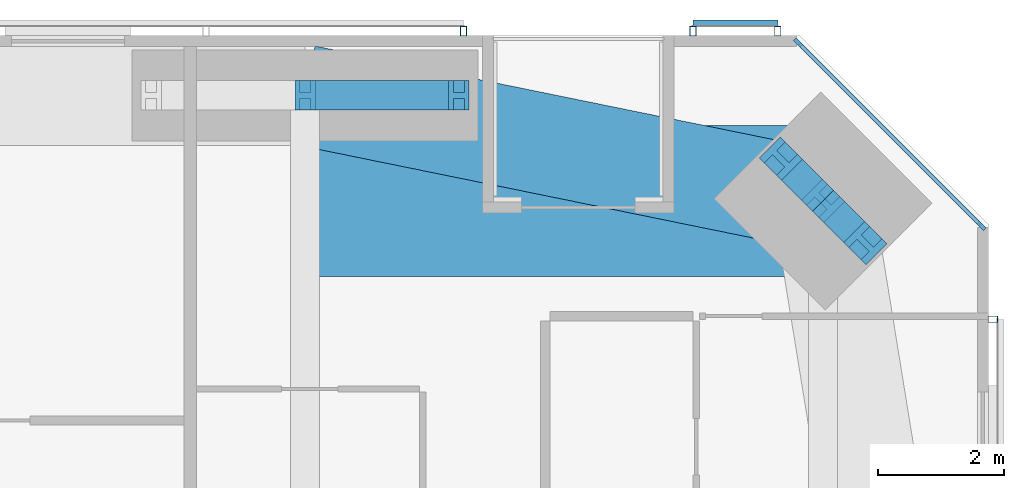
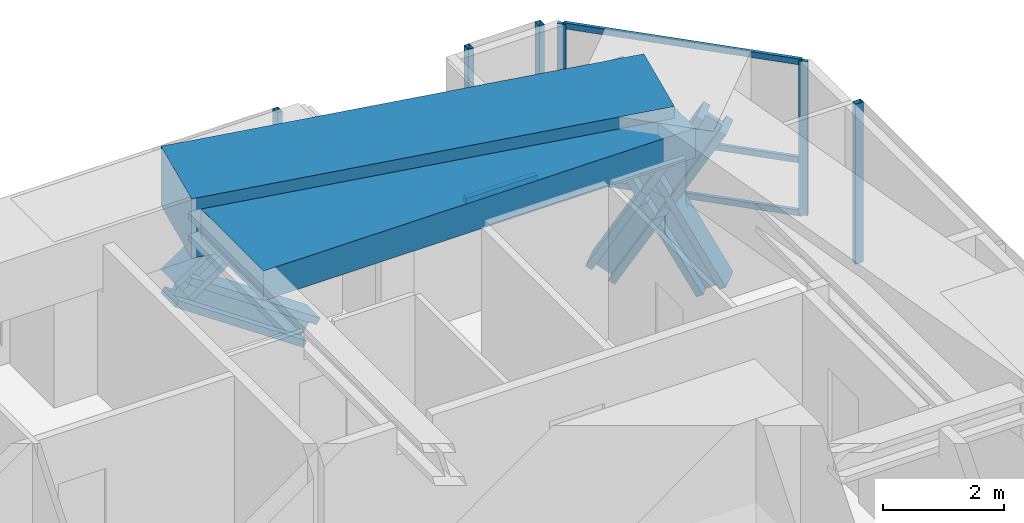
# One storey, part 14 of 23: 16 members, 2 beams, 4 elements without a shape of their own.
"""IFC4 building model written with IfcOpenShell, lengths in metres."""

import ifcopenshell
import ifcopenshell.guid

model = None  # the IFC model being written
_history = None  # IfcOwnerHistory: only IFC2X3 demands one
_inside = {}  # id of a spatial element -> (the spatial element, [elements in it])
_under = {}  # id of a project, library or spatial element -> (it, [spatial elements below it])
_declared = {}  # id of a project -> (the project, [libraries it declares])
_typed = {}  # id of a type object -> (the type object, [elements of that type])
_made_of = {}  # id of a material, layer set ... -> (it, [elements and type objects made of it])


def new_model(schema):
    """Start an empty IFC model of exactly this schema.

    Asked for "IFC4X3", IfcOpenShell would pick the latest addendum, in which some entities
    have other attributes; the version numbers below select the first issue.
    IFC2X3 requires an IfcOwnerHistory on every rooted entity: one is made here for all.
    """
    global model, _history
    if schema == "IFC4X3":
        model = ifcopenshell.file(schema_version=(4, 3, 0, 0))
    else:
        model = ifcopenshell.file(schema=schema)
    _inside.clear()
    _under.clear()
    _declared.clear()
    _typed.clear()
    _made_of.clear()
    _history = None
    if model.schema == "IFC2X3":
        org = make("IfcOrganization", Name="unknown")
        user = make(
            "IfcPersonAndOrganization",
            ThePerson=make("IfcPerson", FamilyName="unknown"),
            TheOrganization=org,
        )
        app = make(
            "IfcApplication",
            ApplicationDeveloper=org,
            Version="unknown",
            ApplicationFullName="unknown",
            ApplicationIdentifier="unknown",
        )
        _history = make(
            "IfcOwnerHistory",
            OwningUser=user,
            OwningApplication=app,
            ChangeAction="ADDED",
            CreationDate=0,
        )
    return model


def make(cls, **values):
    """One entity of the class cls with the attributes given. An attribute that is None is left unset."""
    return model.create_entity(
        cls, **{name: value for name, value in values.items() if value is not None}
    )


def rooted(cls, **values):
    """An entity with a GlobalId (a new one), such as an element, a storey or a relation."""
    return make(cls, GlobalId=ifcopenshell.guid.new(), OwnerHistory=_history, **values)


def si_unit(unit_type, name, prefix=None):
    """IfcSIUnit, for example si_unit("LENGTHUNIT", "METRE", prefix="MILLI")."""
    return make("IfcSIUnit", UnitType=unit_type, Prefix=prefix, Name=name)


def assignment(units):
    """IfcUnitAssignment: the units of a project."""
    return None if units is None else make("IfcUnitAssignment", Units=units)


def point(xyz):
    """IfcCartesianPoint."""
    return None if xyz is None else make("IfcCartesianPoint", Coordinates=xyz)


def direction(xyz):
    """IfcDirection."""
    return None if xyz is None else make("IfcDirection", DirectionRatios=xyz)


def frame(location, z_axis=None, x_axis=None):
    """IfcAxis2Placement3D, a coordinate frame: its origin and axes. An axis left out is left unset."""
    return make(
        "IfcAxis2Placement3D",
        Location=point(location),
        Axis=direction(z_axis),
        RefDirection=direction(x_axis),
    )


def frame_2d(location, x_axis=None):
    """IfcAxis2Placement2D, a coordinate frame in the plane: its origin and x axis."""
    return make(
        "IfcAxis2Placement2D", Location=point(location), RefDirection=direction(x_axis)
    )


def origin():
    """The frame at (0, 0, 0) with its axes left unset."""
    return frame((0.0, 0.0, 0.0))


def origin_2d():
    """The frame at (0, 0) in the plane with its x axis left unset."""
    return frame_2d((0.0, 0.0))


def place(relative_to, where):
    """IfcLocalPlacement: puts the frame where relative to a parent placement (None: the world)."""
    return make(
        "IfcLocalPlacement", PlacementRelTo=relative_to, RelativePlacement=where
    )


def context(
    kind, dimensions, precision=None, world=None, true_north=None, identifier=None
):
    """IfcGeometricRepresentationContext, for example the 3D "Model" context."""
    return make(
        "IfcGeometricRepresentationContext",
        ContextIdentifier=identifier,
        ContextType=kind,
        CoordinateSpaceDimension=dimensions,
        Precision=precision,
        WorldCoordinateSystem=world,
        TrueNorth=true_north,
    )


def subcontext(parent, identifier, kind, view, scale=None):
    """IfcGeometricRepresentationSubContext, for example "Body" below "Model"."""
    return make(
        "IfcGeometricRepresentationSubContext",
        ContextIdentifier=identifier,
        ContextType=kind,
        ParentContext=parent,
        TargetScale=scale,
        TargetView=view,
    )


def project(units=None, contexts=None):
    """IfcProject with its units and contexts."""
    return rooted(
        "IfcProject",
        Name="project",
        RepresentationContexts=contexts,
        UnitsInContext=assignment(units),
    )


def spatial(cls, under=None, at=None, **own):
    """A site, building, storey or space (cls), placed at a placement, below another one or the project."""
    s = rooted(cls, ObjectPlacement=at, **own)
    if under is not None:
        _under.setdefault(under.id(), (under, []))[1].append(s)
    return s


def profile(cls, at=None, kind="AREA", **sizes):
    """A parametric profile (cls). Its sizes go by their IFC names, for example OverallWidth=200.0."""
    return make(cls, ProfileType=kind, Position=at, **sizes)


def rectangle(**sizes):
    """IfcRectangleProfileDef."""
    return profile("IfcRectangleProfileDef", **sizes)


def hollow_rectangle(**sizes):
    """IfcRectangleHollowProfileDef."""
    return profile("IfcRectangleHollowProfileDef", **sizes)


def i_section(**sizes):
    """IfcIShapeProfileDef."""
    return profile("IfcIShapeProfileDef", **sizes)


def extrude(swept, where, along, depth):
    """IfcExtrudedAreaSolid: the profile swept, set in the frame where, extruded along a direction by depth."""
    return make(
        "IfcExtrudedAreaSolid",
        SweptArea=swept,
        Position=where,
        ExtrudedDirection=direction(along),
        Depth=depth,
    )


def shape(context_of_items, identifier, shape_type, items):
    """IfcShapeRepresentation: the items that make up one representation, for example the "Body"."""
    return make(
        "IfcShapeRepresentation",
        ContextOfItems=context_of_items,
        RepresentationIdentifier=identifier,
        RepresentationType=shape_type,
        Items=items,
    )


def material(Name=None, Category=None):
    """IfcMaterial."""
    return make("IfcMaterial", Name=Name, Category=Category)


def material_profile(
    of_material, cross_section, Name=None, Category=None, Priority=None
):
    """IfcMaterialProfile: a cross section and its material."""
    return make(
        "IfcMaterialProfile",
        Name=Name,
        Material=of_material,
        Profile=cross_section,
        Priority=Priority,
        Category=Category,
    )


def profile_set(profiles, Name=None, composite=None):
    """IfcMaterialProfileSet."""
    return make(
        "IfcMaterialProfileSet",
        Name=Name,
        MaterialProfiles=profiles,
        CompositeProfile=composite,
    )


def made_of(thing, what):
    """Note that an element or type object is made of a material, layer set ...; save() writes the relation."""
    if what is not None:
        _made_of.setdefault(what.id(), (what, []))[1].append(thing)
    return thing


def type_object(cls, material=None, **own):
    """A type object (cls), such as IfcWallType, which elements share."""
    return made_of(rooted(cls, **own), material)


def element(
    cls,
    number,
    at=None,
    inside=None,
    cuts=None,
    type_object=None,
    material=None,
    context=None,
    identifier="Body",
    shape_type=None,
    held_by="IfcProductDefinitionShape",
    body=None,
    shapes=None,
    **own,
):
    """One element of the class cls, such as IfcWall. Its Tag is "e" and its number.

    at: its placement. inside: the storey or other place that contains it. cuts: it is an
    opening in that element (IfcRelVoidsElement). A single representation is given by context,
    identifier, shape_type and body (its items); several are given by shapes. held_by: the class
    of the entity that holds the representations. save() writes the other relations.
    """
    e = rooted(cls, Tag="e%d" % number, ObjectPlacement=at, **own)
    if body is not None:
        shapes = [shape(context, identifier, shape_type, body)]
    if shapes is not None:
        e.Representation = make(held_by, Representations=shapes)
    if inside is not None:
        _inside.setdefault(inside.id(), (inside, []))[1].append(e)
    if cuts is not None:
        rooted(
            "IfcRelVoidsElement", RelatingBuildingElement=cuts, RelatedOpeningElement=e
        )
    if type_object is not None:
        _typed.setdefault(type_object.id(), (type_object, []))[1].append(e)
    return made_of(e, material)


def aggregate(whole, parts):
    """IfcRelAggregates: a whole, such as a stair, and the parts it consists of."""
    return rooted("IfcRelAggregates", RelatingObject=whole, RelatedObjects=parts)


def save(model, path):
    """Write the relations noted so far, then the file.

    IfcRelAggregates (storeys below a building ...), IfcRelContainedInSpatialStructure (elements
    in a storey), IfcRelDefinesByType, IfcRelAssociatesMaterial and IfcRelDeclares: one each for
    every whole, place, type object, material and project.
    """
    for whole, parts in _under.values():
        aggregate(whole, parts)
    for where, things in _inside.values():
        rooted(
            "IfcRelContainedInSpatialStructure",
            RelatedElements=things,
            RelatingStructure=where,
        )
    for kind, things in _typed.values():
        rooted("IfcRelDefinesByType", RelatedObjects=things, RelatingType=kind)
    for what, things in _made_of.values():
        rooted("IfcRelAssociatesMaterial", RelatedObjects=things, RelatingMaterial=what)
    for by, libraries in _declared.values():
        rooted("IfcRelDeclares", RelatingContext=by, RelatedDefinitions=libraries)
    model.write(path)


model = new_model("IFC4")

# Units and contexts
model_context = context("Model", 3, precision=1e-05, world=origin(), true_north=direction((0.0, 1.0)))
body_context = subcontext(model_context, "Body", "Model", "MODEL_VIEW")
ifc_project = project(units=[si_unit("LENGTHUNIT", "METRE"), si_unit("AREAUNIT", "SQUARE_METRE"), si_unit("VOLUMEUNIT", "CUBIC_METRE"), si_unit("PLANEANGLEUNIT", "RADIAN"), si_unit("MASSUNIT", "GRAM", prefix="KILO")], contexts=[model_context])

# Site, building, storey
site_placement = place(None, origin())
site = spatial("IfcSite", under=ifc_project, at=site_placement, CompositionType="ELEMENT")
building_placement = place(site_placement, origin())
building = spatial("IfcBuilding", under=site, at=building_placement, Name="Jalousie Tower", CompositionType="ELEMENT")
storey_placement = place(building_placement, frame((0.0, 0.0, 114.89990234375)))
storey = spatial("IfcBuildingStorey", under=building, at=storey_placement, Name="L31", CompositionType="ELEMENT", Elevation=114.89990234375)

# Curtain wall, members
ifc_material_1 = material(Name="Aluminium curtain wall", Category="aluminium")
curtain_wall_type_1 = type_object("IfcCurtainWallType", Name="CORNER WINDOW WALL", PredefinedType="USERDEFINED", material=ifc_material_1)
curtain_wall_1_placement = place(storey_placement, origin())
curtain_wall_1 = element("IfcCurtainWall", 1, at=curtain_wall_1_placement, inside=storey, type_object=curtain_wall_type_1, Name="Corner Window Wall L31 4", ObjectType="CORNER WINDOW WALL", PredefinedType="USERDEFINED")
ifc_material_2 = material(Name="Aluminium mullion", Category="aluminium")
ifc_material_profile_1 = material_profile(ifc_material_2, rectangle(XDim=0.06005859375, YDim=0.14990234375, at=origin_2d()), Name="MULLION 60x150")
ifc_profile_set_1 = profile_set([ifc_material_profile_1], Name="Aluminium mullion")
member_type_1 = type_object("IfcMemberType", Name="CORNER WINDOW WALL MULLION", PredefinedType="MULLION", material=ifc_profile_set_1)
member_1_placement = place(storey_placement, frame((49.391357421875, 34.969970703125, 0.0), z_axis=(0.0, 0.0, 1.0), x_axis=(-0.707106781187, -0.707106781187, 0.0)))
member_1 = element("IfcMember", 2, at=member_1_placement, type_object=member_type_1, Name="CW-C mullion 1", PredefinedType="MULLION", context=body_context, shape_type="SweptSolid", body=[
    extrude(rectangle(XDim=0.06005859375, YDim=0.14990234375, at=origin_2d()), origin(), (0.0, 0.0, 1.0), 3.110107421875),
])
member_2_placement = place(storey_placement, frame((46.469970703125, 37.891357421875, 0.0), z_axis=(0.0, 0.0, 1.0), x_axis=(-0.707106781187, -0.707106781187, 0.0)))
member_2 = element("IfcMember", 3, at=member_2_placement, type_object=member_type_1, Name="CW-C mullion 2", PredefinedType="MULLION", context=body_context, shape_type="SweptSolid", body=[
    extrude(rectangle(XDim=0.06005859375, YDim=0.14990234375, at=origin_2d()), origin(), (0.0, 0.0, 1.0), 3.110107421875),
])
ifc_material_3 = material(Name="Aluminium transom", Category="aluminium")
ifc_material_profile_2 = material_profile(ifc_material_3, rectangle(XDim=0.06005859375, YDim=0.1201171875, at=origin_2d()), Name="TRANSOM 60x120")
ifc_profile_set_2 = profile_set([ifc_material_profile_2], Name="Aluminium transom")
member_type_2 = type_object("IfcMemberType", Name="CORNER WINDOW WALL TRANSOM", PredefinedType="USERDEFINED", material=ifc_profile_set_2)
member_3_placement = place(storey_placement, frame((49.3701171875, 34.9912109375, 0.030029296875), z_axis=(-0.707106781187, 0.707106781187, 0.0), x_axis=(-0.707106781187, -0.707106781187, 0.0)))
member_3 = element("IfcMember", 4, at=member_3_placement, type_object=member_type_2, Name="CW-C transom 1.1", ObjectType="TRANSOM", PredefinedType="USERDEFINED", context=body_context, shape_type="SweptSolid", body=[
    extrude(rectangle(XDim=0.06005859375, YDim=0.1201171875, at=origin_2d()), origin(), (0.0, 0.0, 1.0), 4.0712890625),
])
member_4_placement = place(storey_placement, frame((49.3701171875, 34.9912109375, 1.10009765625), z_axis=(-0.707106781187, 0.707106781187, 0.0), x_axis=(-0.707106781187, -0.707106781187, 0.0)))
member_4 = element("IfcMember", 5, at=member_4_placement, type_object=member_type_2, Name="CW-C transom 1.2", ObjectType="TRANSOM", PredefinedType="USERDEFINED", context=body_context, shape_type="SweptSolid", body=[
    extrude(rectangle(XDim=0.06005859375, YDim=0.1201171875, at=origin_2d()), origin(), (0.0, 0.0, 1.0), 4.0712890625),
])
member_5_placement = place(storey_placement, frame((49.3701171875, 34.9912109375, 3.080078125), z_axis=(-0.707106781187, 0.707106781187, 0.0), x_axis=(-0.707106781187, -0.707106781187, 0.0)))
member_5 = element("IfcMember", 6, at=member_5_placement, type_object=member_type_2, Name="CW-C transom 1.3", ObjectType="TRANSOM", PredefinedType="USERDEFINED", context=body_context, shape_type="SweptSolid", body=[
    extrude(rectangle(XDim=0.06005859375, YDim=0.1201171875, at=origin_2d()), origin(), (0.0, 0.0, 1.0), 4.0712890625),
])
aggregate(curtain_wall_1, [member_1, member_2, member_3, member_4, member_5])

# Members
ifc_material_4 = material(Name="Steel ASTM A992 Grade 50", Category="steel")
ifc_material_profile_3 = material_profile(ifc_material_4, i_section(OverallWidth=0.472412109375, OverallDepth=0.5791015625, WebThickness=0.094970703125, FlangeThickness=0.1298828125, at=origin_2d()), Name="W14X808")
ifc_profile_set_3 = profile_set([ifc_material_profile_3], Name="Steel ASTM A992 Grade 50")
member_type_3 = type_object("IfcMemberType", Name="PERIMETER BRACE W14X808", PredefinedType="BRACE", material=ifc_profile_set_3)
member_6_placement = place(storey_placement, frame((47.540283203125, 34.697021484375, -0.599853515625), z_axis=(-0.348789058631, 0.348789058631, 0.869880672943), x_axis=(-0.707106781187, -0.707106781187, 0.0)))
element("IfcMember", 7, at=member_6_placement, inside=storey, type_object=member_type_3, Name="Perimeter brace 08 L31 part 1", PredefinedType="BRACE", context=body_context, shape_type="SweptSolid", body=[
    extrude(i_section(OverallWidth=0.472412109375, OverallDepth=0.5791015625, WebThickness=0.094970703125, FlangeThickness=0.1298828125, at=origin_2d()), origin(), (0.0, 0.0, 1.0), 1.925537109375),
])
member_7_placement = place(storey_placement, frame((46.86865234375, 35.36865234375, 1.0751953125), z_axis=(-0.348827529765, 0.348827529765, 0.869849819771), x_axis=(-0.707106781187, -0.707106781187, 0.0)))
element("IfcMember", 8, at=member_7_placement, inside=storey, type_object=member_type_3, Name="Perimeter brace 08 L31 part 2", PredefinedType="BRACE", context=body_context, shape_type="SweptSolid", body=[
    extrude(i_section(OverallWidth=0.472412109375, OverallDepth=0.5791015625, WebThickness=0.094970703125, FlangeThickness=0.1298828125, at=origin_2d()), origin(), (0.0, 0.0, 1.0), 1.92529296875),
])
member_8_placement = place(storey_placement, frame((46.197021484375, 36.040283203125, -0.599853515625), z_axis=(0.348789058631, -0.348789058631, 0.869880672943), x_axis=(0.707106781187, 0.707106781187, 0.0)))
element("IfcMember", 9, at=member_8_placement, inside=storey, type_object=member_type_3, Name="Perimeter brace 08 L31 part 3", PredefinedType="BRACE", context=body_context, shape_type="SweptSolid", body=[
    extrude(i_section(OverallWidth=0.472412109375, OverallDepth=0.5791015625, WebThickness=0.094970703125, FlangeThickness=0.1298828125, at=origin_2d()), origin(), (0.0, 0.0, 1.0), 1.925537109375),
])
member_9_placement = place(storey_placement, frame((46.86865234375, 35.36865234375, 1.0751953125), z_axis=(0.348827529765, -0.348827529765, 0.869849819771), x_axis=(0.707106781187, 0.707106781187, 0.0)))
element("IfcMember", 10, at=member_9_placement, inside=storey, type_object=member_type_3, Name="Perimeter brace 08 L31 part 4", PredefinedType="BRACE", context=body_context, shape_type="SweptSolid", body=[
    extrude(i_section(OverallWidth=0.472412109375, OverallDepth=0.5791015625, WebThickness=0.094970703125, FlangeThickness=0.1298828125, at=origin_2d()), origin(), (0.0, 0.0, 1.0), 1.92529296875),
])
for number, where, z_axis, x_axis, name in (
    (11, (38.625, 37.050048828125, 1.0751953125), (0.825539243753, 0.0, 0.564344714713), (0.0, 1.0, 0.0), "Perimeter brace 09 L31 part 2"),
    (12, (41.074951171875, 37.050048828125, -0.599853515625), (-0.825500916831, 0.0, 0.564400776321), (0.0, -1.0, 0.0), "Perimeter brace 09 L31 part 3"),
):
    element("IfcMember", number, at=place(storey_placement, frame(where, z_axis=z_axis, x_axis=x_axis)), inside=storey, type_object=member_type_3, Name=name, PredefinedType="BRACE", context=body_context, shape_type="SweptSolid", body=[
        extrude(i_section(OverallWidth=0.472412109375, OverallDepth=0.5791015625, WebThickness=0.094970703125, FlangeThickness=0.1298828125, at=origin_2d()), origin(), (0.0, 0.0, 1.0), 2.9677734375),
    ])

# Beams
ifc_material_5 = material(Name="Concrete f'c 40 MPa", Category="concrete")
ifc_material_profile_4 = material_profile(ifc_material_5, rectangle(XDim=1.60009765625, YDim=1.199951171875, at=origin_2d()), Name="RC 1600x1200")
ifc_profile_set_4 = profile_set([ifc_material_profile_4], Name="Concrete f'c 40 MPa")
beam_type_1 = type_object("IfcBeamType", Name="RC BEAM 1600x1200", PredefinedType="BEAM", material=ifc_profile_set_4)
beam_1_placement = place(storey_placement, frame((46.86865234375, 35.36865234375, 2.75), z_axis=(-0.97982690954, 0.199848010602, 0.0), x_axis=(-0.199848010602, -0.97982690954, 0.0)))
element("IfcBeam", 13, at=beam_1_placement, inside=storey, type_object=beam_type_1, Name="Edge band beam 08-09 under L32", PredefinedType="BEAM", context=body_context, shape_type="SweptSolid", body=[
    extrude(rectangle(XDim=1.60009765625, YDim=1.199951171875, at=origin_2d()), origin(), (0.0, 0.0, 1.0), 8.413330078125),
])
ifc_material_6 = material(Name="Concrete f'c 40 MPa", Category="concrete")
ifc_material_profile_5 = material_profile(ifc_material_6, rectangle(XDim=2.39990234375, YDim=0.60009765625, at=origin_2d()), Name="RC 2400x600")
ifc_profile_set_5 = profile_set([ifc_material_profile_5], Name="Concrete f'c 40 MPa")
beam_type_2 = type_object("IfcBeamType", Name="RC BEAM 2400x600", PredefinedType="BEAM", material=ifc_profile_set_5)
beam_2_placement = place(storey_placement, frame((46.86865234375, 35.36865234375, 2.81005859375), z_axis=(-1.0, 0.0, 0.0), x_axis=(0.0, -1.0, 0.0)))
element("IfcBeam", 14, at=beam_2_placement, inside=storey, type_object=beam_type_2, Name="Floor band beam under L32", PredefinedType="BEAM", context=body_context, shape_type="SweptSolid", body=[
    extrude(rectangle(XDim=2.39990234375, YDim=0.60009765625, at=origin_2d()), origin(), (0.0, 0.0, 1.0), 8.24365234375),
])

# Curtain wall, member
ifc_material_7 = material(Name="Perforated aluminium sheet", Category="aluminium")
curtain_wall_type_2 = type_object("IfcCurtainWallType", Name="SOLAR SCREEN SS-1", PredefinedType="USERDEFINED", material=ifc_material_7)
curtain_wall_2_placement = place(storey_placement, origin())
curtain_wall_2 = element("IfcCurtainWall", 15, at=curtain_wall_2_placement, inside=storey, type_object=curtain_wall_type_2, Name="Solar screen L31", ObjectType="SOLAR SCREEN SS-1", PredefinedType="USERDEFINED")
ifc_material_8 = material(Name="Steel ASTM A500 Grade C", Category="steel")
ifc_material_profile_6 = material_profile(ifc_material_8, hollow_rectangle(XDim=0.1015625, YDim=0.15234375, WallThickness=0.00634765625, at=origin_2d()), Name="HSS6X4X1/4")
ifc_profile_set_6 = profile_set([ifc_material_profile_6], Name="Steel ASTM A500 Grade C")
member_type_4 = type_object("IfcMemberType", Name="SOLAR SCREEN SS-1 MULLION", PredefinedType="MULLION", material=ifc_profile_set_6)
member_10_placement = place(storey_placement, frame((49.5712890625, 33.486083984375, -0.119873046875), z_axis=(0.0, 0.0, 1.0), x_axis=(0.0, 1.0, 0.0)))
member_10 = element("IfcMember", 16, at=member_10_placement, type_object=member_type_4, Name="SS1 post 4", PredefinedType="MULLION", context=body_context, shape_type="SweptSolid", body=[
    extrude(hollow_rectangle(XDim=0.1015625, YDim=0.15234375, WallThickness=0.00634765625, at=origin_2d()), origin(), (0.0, 0.0, 1.0), 3.22998046875),
])
aggregate(curtain_wall_2, [member_10])

# Curtain wall, members
curtain_wall_3_placement = place(storey_placement, origin())
curtain_wall_3 = element("IfcCurtainWall", 17, at=curtain_wall_3_placement, inside=storey, type_object=curtain_wall_type_2, Name="Solar screen L31", ObjectType="SOLAR SCREEN SS-1", PredefinedType="USERDEFINED")
member_11_placement = place(storey_placement, frame((46.148681640625, 38.0712890625, -0.119873046875), z_axis=(0.0, 0.0, 1.0), x_axis=(-1.0, 0.0, 0.0)))
member_11 = element("IfcMember", 18, at=member_11_placement, type_object=member_type_4, Name="SS1 post 1", PredefinedType="MULLION", context=body_context, shape_type="SweptSolid", body=[
    extrude(hollow_rectangle(XDim=0.1015625, YDim=0.15234375, WallThickness=0.00634765625, at=origin_2d()), origin(), (0.0, 0.0, 1.0), 3.22998046875),
])
member_12_placement = place(storey_placement, frame((44.798583984375, 38.0712890625, -0.119873046875), z_axis=(0.0, 0.0, 1.0), x_axis=(-1.0, 0.0, 0.0)))
member_12 = element("IfcMember", 19, at=member_12_placement, type_object=member_type_4, Name="SS1 post 2", PredefinedType="MULLION", context=body_context, shape_type="SweptSolid", body=[
    extrude(hollow_rectangle(XDim=0.1015625, YDim=0.15234375, WallThickness=0.00634765625, at=origin_2d()), origin(), (0.0, 0.0, 1.0), 3.22998046875),
])

# Curtain wall, member
curtain_wall_4_placement = place(storey_placement, origin())
curtain_wall_4 = element("IfcCurtainWall", 20, at=curtain_wall_4_placement, inside=storey, type_object=curtain_wall_type_2, Name="Solar screen L31", ObjectType="SOLAR SCREEN SS-1", PredefinedType="USERDEFINED")
member_13_placement = place(storey_placement, frame((41.148681640625, 38.0712890625, -0.119873046875), z_axis=(0.0, 0.0, 1.0), x_axis=(-1.0, 0.0, 0.0)))
member_13 = element("IfcMember", 21, at=member_13_placement, type_object=member_type_4, Name="SS1 post 1", PredefinedType="MULLION", context=body_context, shape_type="SweptSolid", body=[
    extrude(hollow_rectangle(XDim=0.1015625, YDim=0.15234375, WallThickness=0.00634765625, at=origin_2d()), origin(), (0.0, 0.0, 1.0), 3.22998046875),
])
aggregate(curtain_wall_4, [member_13])

# Member
ifc_material_9 = material(Name="Extruded aluminium screen rail", Category="aluminium")
ifc_material_profile_7 = material_profile(ifc_material_9, rectangle(XDim=0.1015625, YDim=0.1201171875, at=origin_2d()), Name="RAIL 102x120")
ifc_profile_set_7 = profile_set([ifc_material_profile_7], Name="Extruded aluminium screen rail")
member_type_5 = type_object("IfcMemberType", Name="SOLAR SCREEN SS-1 TRANSOM", PredefinedType="USERDEFINED", material=ifc_profile_set_7)
member_14_placement = place(storey_placement, frame((46.148681640625, 38.1982421875, -0.059814453125), z_axis=(-1.0, 0.0, 0.0), x_axis=(0.0, -1.0, 0.0)))
member_14 = element("IfcMember", 22, at=member_14_placement, type_object=member_type_5, Name="SS1 rail", ObjectType="TRANSOM", PredefinedType="USERDEFINED", context=body_context, shape_type="SweptSolid", body=[
    extrude(rectangle(XDim=0.1015625, YDim=0.1201171875, at=origin_2d()), origin(), (0.0, 0.0, 1.0), 1.35009765625),
])

aggregate(curtain_wall_3, [member_11, member_12, member_14])

save(model, "model.ifc")
